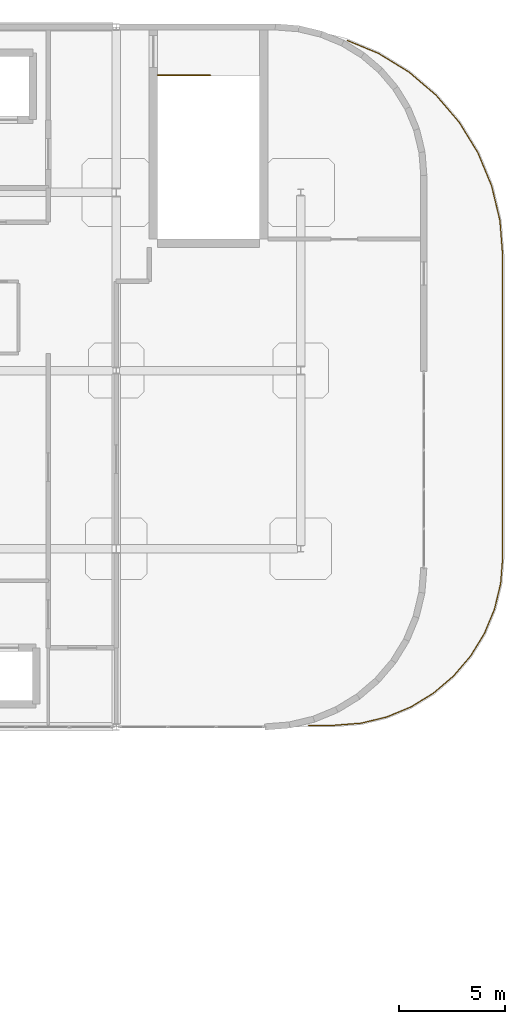
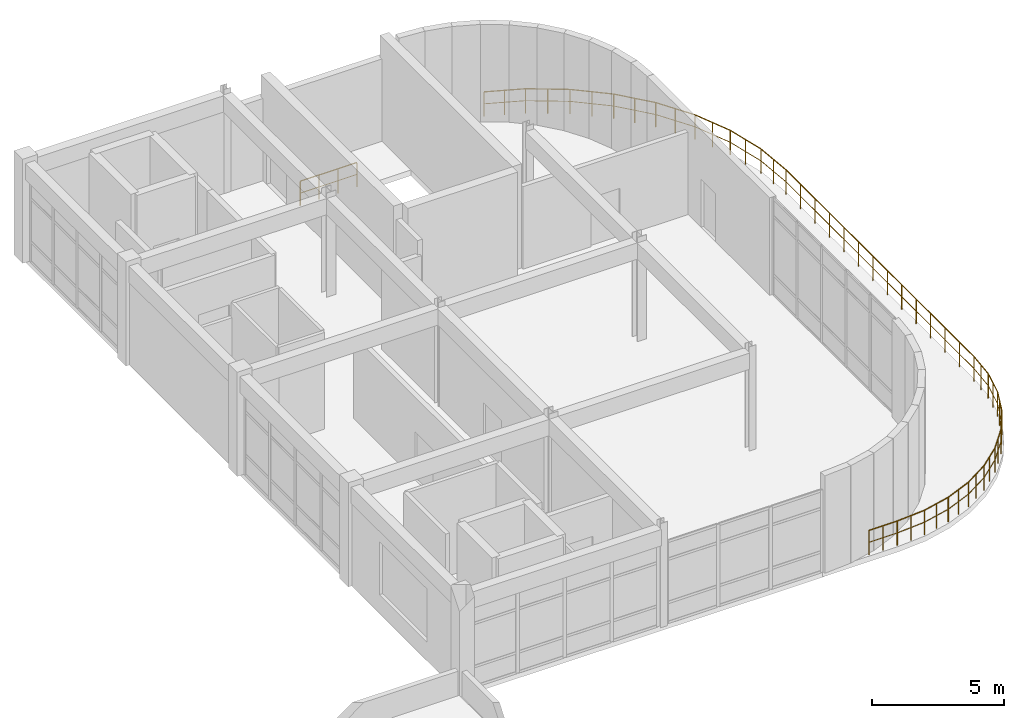
# One storey, part 41 of 41: 2 railings.
"""IFC4 building model written with IfcOpenShell, lengths in metres."""

from ifc_helpers import new_model, si_unit, derived_unit, direction, frame, origin, origin_2d, place, context, subcontext, project, spatial, circle, extrude, material, type_object, element, save


model = new_model("IFC4")

# Units and contexts
model_context = context("Model", 3, precision=1e-05, world=origin(), true_north=direction((0.0, 1.0)))
body_context = subcontext(model_context, "Body", "Model", "MODEL_VIEW")
ifc_project = project(units=[si_unit("LENGTHUNIT", "METRE"), si_unit("AREAUNIT", "SQUARE_METRE"), si_unit("VOLUMEUNIT", "CUBIC_METRE"), si_unit("PLANEANGLEUNIT", "RADIAN"), si_unit("MASSUNIT", "GRAM", prefix="KILO"), derived_unit("THERMALTRANSMITTANCEUNIT", [(si_unit("MASSUNIT", "GRAM", prefix="KILO"), 1), (si_unit("TIMEUNIT", "SECOND"), -3), (si_unit("THERMODYNAMICTEMPERATUREUNIT", "KELVIN"), -1)])], contexts=[model_context])

# Site, building, storey
site_placement = place(None, origin())
site = spatial("IfcSite", under=ifc_project, at=site_placement, CompositionType="ELEMENT")
building_placement = place(site_placement, origin())
building = spatial("IfcBuilding", under=site, at=building_placement, Name="Qinzheling Arcade Emporium", CompositionType="ELEMENT")
storey_placement = place(building_placement, frame((0.0, 0.0, 36.300048828125)))
storey = spatial("IfcBuildingStorey", under=building, at=storey_placement, Name="L08", CompositionType="ELEMENT", Elevation=36.300048828125)

# Railings
ifc_material_1 = material(Name="Architectural bronze rail and laminated safety glass", Category="glass")
railing_type_1 = type_object("IfcRailingType", Name="Curved Terrace Laminated Glass and Bronze Balustrade 1150", PredefinedType="BALUSTRADE", material=ifc_material_1)
railing_1_placement = place(storey_placement, frame((124.0029296875, 106.156982421875, 0.0)))
element("IfcRailing", 1, at=railing_1_placement, inside=storey, type_object=railing_type_1, Name="Terrace Balustrade RLG-TER-L08-023", PredefinedType="BALUSTRADE", context=body_context, shape_type="SweptSolid", body=[
    extrude(circle(Radius=0.02392578125, at=origin_2d()), frame((0.0, 0.0, 1.1259765625), z_axis=(0.923990551379, -0.38241529907, 0.0), x_axis=(0.38241529907, 0.923990551379, 0.0)), (0.0, 0.0, 1.0), 1.58447265625),
    extrude(circle(Radius=0.01611328125, at=origin_2d()), frame((0.0, 0.0, 0.574951171875), z_axis=(0.923990551379, -0.38241529907, 0.0), x_axis=(0.38241529907, 0.923990551379, 0.0)), (0.0, 0.0, 1.0), 1.58447265625),
    extrude(circle(Radius=0.02392578125, at=origin_2d()), frame((1.464111328125, -0.60595703125, 1.1259765625), z_axis=(0.852574128267, -0.522606310533, 0.0), x_axis=(0.522606310533, 0.852574128267, 0.0)), (0.0, 0.0, 1.0), 1.681884765625),
    extrude(circle(Radius=0.01611328125, at=origin_2d()), frame((1.464111328125, -0.60595703125, 0.574951171875), z_axis=(0.852574128267, -0.522606310533, 0.0), x_axis=(0.522606310533, 0.852574128267, 0.0)), (0.0, 0.0, 1.0), 1.681884765625),
    extrude(circle(Radius=0.02392578125, at=origin_2d()), frame((2.89794921875, -1.48486328125, 1.1259765625), z_axis=(0.760515545817, -0.649319724459, 0.0), x_axis=(0.649319724459, 0.760515545817, 0.0)), (0.0, 0.0, 1.0), 1.681884765625),
    extrude(circle(Radius=0.01611328125, at=origin_2d()), frame((2.89794921875, -1.48486328125, 0.574951171875), z_axis=(0.760515545817, -0.649319724459, 0.0), x_axis=(0.649319724459, 0.760515545817, 0.0)), (0.0, 0.0, 1.0), 1.681884765625),
    extrude(circle(Radius=0.02392578125, at=origin_2d()), frame((4.177001953125, -2.576904296875, 1.1259765625), z_axis=(0.649319724459, -0.760515545817, 0.0), x_axis=(0.760515545817, 0.649319724459, 0.0)), (0.0, 0.0, 1.0), 1.681884765625),
    extrude(circle(Radius=0.01611328125, at=origin_2d()), frame((4.177001953125, -2.576904296875, 0.574951171875), z_axis=(0.649319724459, -0.760515545817, 0.0), x_axis=(0.760515545817, 0.649319724459, 0.0)), (0.0, 0.0, 1.0), 1.681884765625),
    extrude(circle(Radius=0.02392578125, at=origin_2d()), frame((5.26904296875, -3.85595703125, 1.1259765625), z_axis=(0.522541635703, -0.852613768923, 0.0), x_axis=(0.852613768923, 0.522541635703, 0.0)), (0.0, 0.0, 1.0), 1.681884765625),
    extrude(circle(Radius=0.01611328125, at=origin_2d()), frame((5.26904296875, -3.85595703125, 0.574951171875), z_axis=(0.522541635703, -0.852613768923, 0.0), x_axis=(0.852613768923, 0.522541635703, 0.0)), (0.0, 0.0, 1.0), 1.681884765625),
    extrude(circle(Radius=0.02392578125, at=origin_2d()), frame((6.14794921875, -5.2900390625, 1.1259765625), z_axis=(0.382667809324, -0.923886003632, 0.0), x_axis=(0.923886003632, 0.382667809324, 0.0)), (0.0, 0.0, 1.0), 1.68310546875),
    extrude(circle(Radius=0.01611328125, at=origin_2d()), frame((6.14794921875, -5.2900390625, 0.574951171875), z_axis=(0.382667809324, -0.923886003632, 0.0), x_axis=(0.923886003632, 0.382667809324, 0.0)), (0.0, 0.0, 1.0), 1.68310546875),
    extrude(circle(Radius=0.02392578125, at=origin_2d()), frame((6.7919921875, -6.844970703125, 1.1259765625), z_axis=(0.233614416284, -0.972329318957, 0.0), x_axis=(0.972329318957, 0.233614416284, 0.0)), (0.0, 0.0, 1.0), 1.6826171875),
    extrude(circle(Radius=0.01611328125, at=origin_2d()), frame((6.7919921875, -6.844970703125, 0.574951171875), z_axis=(0.233614416284, -0.972329318957, 0.0), x_axis=(0.972329318957, 0.233614416284, 0.0)), (0.0, 0.0, 1.0), 1.6826171875),
    extrude(circle(Radius=0.02392578125, at=origin_2d()), frame((7.18505859375, -8.48095703125, 1.1259765625), z_axis=(0.07842572316, -0.996919959649, 0.0), x_axis=(0.996919959649, 0.07842572316, 0.0)), (0.0, 0.0, 1.0), 1.68408203125),
    extrude(circle(Radius=0.01611328125, at=origin_2d()), frame((7.18505859375, -8.48095703125, 0.574951171875), z_axis=(0.07842572316, -0.996919959649, 0.0), x_axis=(0.996919959649, 0.07842572316, 0.0)), (0.0, 0.0, 1.0), 1.68408203125),
    extrude(circle(Radius=0.02392578125, at=origin_2d()), frame((7.317138671875, -10.159912109375, 1.1259765625), z_axis=(0.0, -1.0, 0.0), x_axis=(1.0, 0.0, 0.0)), (0.0, 0.0, 1.0), 14.194091796875),
    extrude(circle(Radius=0.01611328125, at=origin_2d()), frame((7.317138671875, -10.159912109375, 0.574951171875), z_axis=(0.0, -1.0, 0.0), x_axis=(1.0, 0.0, 0.0)), (0.0, 0.0, 1.0), 14.194091796875),
    extrude(circle(Radius=0.02392578125, at=origin_2d()), frame((7.317138671875, -24.35400390625, 1.1259765625), z_axis=(-0.078061288153, -0.996948562009, 0.0), x_axis=(0.996948562009, -0.078061288153, 0.0)), (0.0, 0.0, 1.0), 1.244873046875),
    extrude(circle(Radius=0.01611328125, at=origin_2d()), frame((7.317138671875, -24.35400390625, 0.574951171875), z_axis=(-0.078061288153, -0.996948562009, 0.0), x_axis=(0.996948562009, -0.078061288153, 0.0)), (0.0, 0.0, 1.0), 1.244873046875),
    extrude(circle(Radius=0.02392578125, at=origin_2d()), frame((7.219970703125, -25.594970703125, 1.1259765625), z_axis=(-0.234026345802, -0.972230255377, 0.0), x_axis=(0.972230255377, -0.234026345802, 0.0)), (0.0, 0.0, 1.0), 1.243408203125),
    extrude(circle(Radius=0.01611328125, at=origin_2d()), frame((7.219970703125, -25.594970703125, 0.574951171875), z_axis=(-0.234026345802, -0.972230255377, 0.0), x_axis=(0.972230255377, -0.234026345802, 0.0)), (0.0, 0.0, 1.0), 1.243408203125),
    extrude(circle(Radius=0.02392578125, at=origin_2d()), frame((6.928955078125, -26.803955078125, 1.1259765625), z_axis=(-0.382634999188, -0.923899592703, 0.0), x_axis=(0.923899592703, -0.382634999188, 0.0)), (0.0, 0.0, 1.0), 1.24365234375),
    extrude(circle(Radius=0.01611328125, at=origin_2d()), frame((6.928955078125, -26.803955078125, 0.574951171875), z_axis=(-0.382634999188, -0.923899592703, 0.0), x_axis=(0.923899592703, -0.382634999188, 0.0)), (0.0, 0.0, 1.0), 1.24365234375),
    extrude(circle(Radius=0.02392578125, at=origin_2d()), frame((6.453125, -27.952880859375, 1.1259765625), z_axis=(-0.522594318317, -0.852581479075, 0.0), x_axis=(0.852581479075, -0.522594318317, 0.0)), (0.0, 0.0, 1.0), 1.2421875),
    extrude(circle(Radius=0.01611328125, at=origin_2d()), frame((6.453125, -27.952880859375, 0.574951171875), z_axis=(-0.522594318317, -0.852581479075, 0.0), x_axis=(0.852581479075, -0.522594318317, 0.0)), (0.0, 0.0, 1.0), 1.2421875),
    extrude(circle(Radius=0.02392578125, at=origin_2d()), frame((5.803955078125, -29.011962890625, 1.1259765625), z_axis=(-0.649317815762, -0.760517175436, 0.0), x_axis=(0.760517175436, -0.649317815762, 0.0)), (0.0, 0.0, 1.0), 1.24267578125),
    extrude(circle(Radius=0.01611328125, at=origin_2d()), frame((5.803955078125, -29.011962890625, 0.574951171875), z_axis=(-0.649317815762, -0.760517175436, 0.0), x_axis=(0.760517175436, -0.649317815762, 0.0)), (0.0, 0.0, 1.0), 1.24267578125),
    extrude(circle(Radius=0.02392578125, at=origin_2d()), frame((4.9970703125, -29.95703125, 1.1259765625), z_axis=(-0.760517175436, -0.649317815762, 0.0), x_axis=(0.649317815762, -0.760517175436, 0.0)), (0.0, 0.0, 1.0), 1.24267578125),
    extrude(circle(Radius=0.01611328125, at=origin_2d()), frame((4.9970703125, -29.95703125, 0.574951171875), z_axis=(-0.760517175436, -0.649317815762, 0.0), x_axis=(0.649317815762, -0.760517175436, 0.0)), (0.0, 0.0, 1.0), 1.24267578125),
    extrude(circle(Radius=0.02392578125, at=origin_2d()), frame((4.052001953125, -30.763916015625, 1.1259765625), z_axis=(-0.852527790129, -0.522681898537, 0.0), x_axis=(0.522681898537, -0.852527790129, 0.0)), (0.0, 0.0, 1.0), 1.241943359375),
    extrude(circle(Radius=0.01611328125, at=origin_2d()), frame((4.052001953125, -30.763916015625, 0.574951171875), z_axis=(-0.852527790129, -0.522681898537, 0.0), x_axis=(0.522681898537, -0.852527790129, 0.0)), (0.0, 0.0, 1.0), 1.241943359375),
    extrude(circle(Radius=0.02392578125, at=origin_2d()), frame((2.9931640625, -31.4130859375, 1.1259765625), z_axis=(-0.923928328555, -0.382565607044, 0.0), x_axis=(0.382565607044, -0.923928328555, 0.0)), (0.0, 0.0, 1.0), 1.243896484375),
    extrude(circle(Radius=0.01611328125, at=origin_2d()), frame((2.9931640625, -31.4130859375, 0.574951171875), z_axis=(-0.923928328555, -0.382565607044, 0.0), x_axis=(0.382565607044, -0.923928328555, 0.0)), (0.0, 0.0, 1.0), 1.243896484375),
    extrude(circle(Radius=0.02392578125, at=origin_2d()), frame((1.843994140625, -31.888916015625, 1.1259765625), z_axis=(-0.972230255377, -0.234026345802, 0.0), x_axis=(0.234026345802, -0.972230255377, 0.0)), (0.0, 0.0, 1.0), 1.243408203125),
    extrude(circle(Radius=0.01611328125, at=origin_2d()), frame((1.843994140625, -31.888916015625, 0.574951171875), z_axis=(-0.972230255377, -0.234026345802, 0.0), x_axis=(0.234026345802, -0.972230255377, 0.0)), (0.0, 0.0, 1.0), 1.243408203125),
    extrude(circle(Radius=0.02392578125, at=origin_2d()), frame((0.635009765625, -32.179931640625, 1.1259765625), z_axis=(-0.996948562009, -0.078061288153, 0.0), x_axis=(0.078061288153, -0.996948562009, 0.0)), (0.0, 0.0, 1.0), 1.244873046875),
    extrude(circle(Radius=0.01611328125, at=origin_2d()), frame((0.635009765625, -32.179931640625, 0.574951171875), z_axis=(-0.996948562009, -0.078061288153, 0.0), x_axis=(0.078061288153, -0.996948562009, 0.0)), (0.0, 0.0, 1.0), 1.244873046875),
    extrude(circle(Radius=0.02392578125, at=origin_2d()), frame((-0.60595703125, -32.277099609375, 1.1259765625), z_axis=(-1.0, 0.0, 0.0), x_axis=(0.0, -1.0, 0.0)), (0.0, 0.0, 1.0), 1.23193359375),
    extrude(circle(Radius=0.01611328125, at=origin_2d()), frame((-0.60595703125, -32.277099609375, 0.574951171875), z_axis=(-1.0, 0.0, 0.0), x_axis=(0.0, -1.0, 0.0)), (0.0, 0.0, 1.0), 1.23193359375),
    extrude(circle(Radius=0.02099609375, at=origin_2d()), origin(), (0.0, 0.0, 1.0), 1.101806640625),
    extrude(circle(Radius=0.02099609375, at=origin_2d()), frame((0.73193359375, -0.302978515625, 0.0)), (0.0, 0.0, 1.0), 1.101806640625),
    extrude(circle(Radius=0.02099609375, at=origin_2d()), frame((1.464111328125, -0.60595703125, 0.0)), (0.0, 0.0, 1.0), 1.101806640625),
    extrude(circle(Radius=0.02099609375, at=origin_2d()), frame((2.18115234375, -1.04541015625, 0.0)), (0.0, 0.0, 1.0), 1.101806640625),
    extrude(circle(Radius=0.02099609375, at=origin_2d()), frame((2.89794921875, -1.48486328125, 0.0)), (0.0, 0.0, 1.0), 1.101806640625),
    extrude(circle(Radius=0.02099609375, at=origin_2d()), frame((3.53759765625, -2.03076171875, 0.0)), (0.0, 0.0, 1.0), 1.101806640625),
    extrude(circle(Radius=0.02099609375, at=origin_2d()), frame((4.177001953125, -2.576904296875, 0.0)), (0.0, 0.0, 1.0), 1.101806640625),
    extrude(circle(Radius=0.02099609375, at=origin_2d()), frame((4.72314453125, -3.21630859375, 0.0)), (0.0, 0.0, 1.0), 1.101806640625),
    extrude(circle(Radius=0.02099609375, at=origin_2d()), frame((5.26904296875, -3.85595703125, 0.0)), (0.0, 0.0, 1.0), 1.101806640625),
    extrude(circle(Radius=0.02099609375, at=origin_2d()), frame((5.70849609375, -4.572998046875, 0.0)), (0.0, 0.0, 1.0), 1.101806640625),
    extrude(circle(Radius=0.02099609375, at=origin_2d()), frame((6.14794921875, -5.2900390625, 0.0)), (0.0, 0.0, 1.0), 1.101806640625),
    extrude(circle(Radius=0.02099609375, at=origin_2d()), frame((6.469970703125, -6.0673828125, 0.0)), (0.0, 0.0, 1.0), 1.101806640625),
    extrude(circle(Radius=0.02099609375, at=origin_2d()), frame((6.7919921875, -6.844970703125, 0.0)), (0.0, 0.0, 1.0), 1.101806640625),
    extrude(circle(Radius=0.02099609375, at=origin_2d()), frame((6.988525390625, -7.6630859375, 0.0)), (0.0, 0.0, 1.0), 1.101806640625),
    extrude(circle(Radius=0.02099609375, at=origin_2d()), frame((7.18505859375, -8.48095703125, 0.0)), (0.0, 0.0, 1.0), 1.101806640625),
    extrude(circle(Radius=0.02099609375, at=origin_2d()), frame((7.2509765625, -9.3203125, 0.0)), (0.0, 0.0, 1.0), 1.101806640625),
    extrude(circle(Radius=0.02099609375, at=origin_2d()), frame((7.317138671875, -10.159912109375, 0.0)), (0.0, 0.0, 1.0), 1.101806640625),
    extrude(circle(Radius=0.02099609375, at=origin_2d()), frame((7.317138671875, -11.251708984375, 0.0)), (0.0, 0.0, 1.0), 1.101806640625),
    extrude(circle(Radius=0.02099609375, at=origin_2d()), frame((7.317138671875, -12.343505859375, 0.0)), (0.0, 0.0, 1.0), 1.101806640625),
    extrude(circle(Radius=0.02099609375, at=origin_2d()), frame((7.317138671875, -13.435546875, 0.0)), (0.0, 0.0, 1.0), 1.101806640625),
    extrude(circle(Radius=0.02099609375, at=origin_2d()), frame((7.317138671875, -14.52734375, 0.0)), (0.0, 0.0, 1.0), 1.101806640625),
    extrude(circle(Radius=0.02099609375, at=origin_2d()), frame((7.317138671875, -15.619140625, 0.0)), (0.0, 0.0, 1.0), 1.101806640625),
    extrude(circle(Radius=0.02099609375, at=origin_2d()), frame((7.317138671875, -16.7109375, 0.0)), (0.0, 0.0, 1.0), 1.101806640625),
    extrude(circle(Radius=0.02099609375, at=origin_2d()), frame((7.317138671875, -17.802978515625, 0.0)), (0.0, 0.0, 1.0), 1.101806640625),
    extrude(circle(Radius=0.02099609375, at=origin_2d()), frame((7.317138671875, -18.894775390625, 0.0)), (0.0, 0.0, 1.0), 1.101806640625),
    extrude(circle(Radius=0.02099609375, at=origin_2d()), frame((7.317138671875, -19.986572265625, 0.0)), (0.0, 0.0, 1.0), 1.101806640625),
    extrude(circle(Radius=0.02099609375, at=origin_2d()), frame((7.317138671875, -21.078369140625, 0.0)), (0.0, 0.0, 1.0), 1.101806640625),
    extrude(circle(Radius=0.02099609375, at=origin_2d()), frame((7.317138671875, -22.17041015625, 0.0)), (0.0, 0.0, 1.0), 1.101806640625),
    extrude(circle(Radius=0.02099609375, at=origin_2d()), frame((7.317138671875, -23.26220703125, 0.0)), (0.0, 0.0, 1.0), 1.101806640625),
    extrude(circle(Radius=0.02099609375, at=origin_2d()), frame((7.317138671875, -24.35400390625, 0.0)), (0.0, 0.0, 1.0), 1.101806640625),
    extrude(circle(Radius=0.02099609375, at=origin_2d()), frame((7.2685546875, -24.974609375, 0.0)), (0.0, 0.0, 1.0), 1.101806640625),
    extrude(circle(Radius=0.02099609375, at=origin_2d()), frame((7.219970703125, -25.594970703125, 0.0)), (0.0, 0.0, 1.0), 1.101806640625),
    extrude(circle(Radius=0.02099609375, at=origin_2d()), frame((7.074462890625, -26.199462890625, 0.0)), (0.0, 0.0, 1.0), 1.101806640625),
    extrude(circle(Radius=0.02099609375, at=origin_2d()), frame((6.928955078125, -26.803955078125, 0.0)), (0.0, 0.0, 1.0), 1.101806640625),
    extrude(circle(Radius=0.02099609375, at=origin_2d()), frame((6.69091796875, -27.37841796875, 0.0)), (0.0, 0.0, 1.0), 1.101806640625),
    extrude(circle(Radius=0.02099609375, at=origin_2d()), frame((6.453125, -27.952880859375, 0.0)), (0.0, 0.0, 1.0), 1.101806640625),
    extrude(circle(Radius=0.02099609375, at=origin_2d()), frame((6.12841796875, -28.482421875, 0.0)), (0.0, 0.0, 1.0), 1.101806640625),
    extrude(circle(Radius=0.02099609375, at=origin_2d()), frame((5.803955078125, -29.011962890625, 0.0)), (0.0, 0.0, 1.0), 1.101806640625),
    extrude(circle(Radius=0.02099609375, at=origin_2d()), frame((5.400390625, -29.484375, 0.0)), (0.0, 0.0, 1.0), 1.101806640625),
    extrude(circle(Radius=0.02099609375, at=origin_2d()), frame((4.9970703125, -29.95703125, 0.0)), (0.0, 0.0, 1.0), 1.101806640625),
    extrude(circle(Radius=0.02099609375, at=origin_2d()), frame((4.5244140625, -30.3603515625, 0.0)), (0.0, 0.0, 1.0), 1.101806640625),
    extrude(circle(Radius=0.02099609375, at=origin_2d()), frame((4.052001953125, -30.763916015625, 0.0)), (0.0, 0.0, 1.0), 1.101806640625),
    extrude(circle(Radius=0.02099609375, at=origin_2d()), frame((3.5224609375, -31.08837890625, 0.0)), (0.0, 0.0, 1.0), 1.101806640625),
    extrude(circle(Radius=0.02099609375, at=origin_2d()), frame((2.9931640625, -31.4130859375, 0.0)), (0.0, 0.0, 1.0), 1.101806640625),
    extrude(circle(Radius=0.02099609375, at=origin_2d()), frame((2.41845703125, -31.65087890625, 0.0)), (0.0, 0.0, 1.0), 1.101806640625),
    extrude(circle(Radius=0.02099609375, at=origin_2d()), frame((1.843994140625, -31.888916015625, 0.0)), (0.0, 0.0, 1.0), 1.101806640625),
    extrude(circle(Radius=0.02099609375, at=origin_2d()), frame((1.239501953125, -32.034423828125, 0.0)), (0.0, 0.0, 1.0), 1.101806640625),
    extrude(circle(Radius=0.02099609375, at=origin_2d()), frame((0.635009765625, -32.179931640625, 0.0)), (0.0, 0.0, 1.0), 1.101806640625),
    extrude(circle(Radius=0.02099609375, at=origin_2d()), frame((0.0146484375, -32.228515625, 0.0)), (0.0, 0.0, 1.0), 1.101806640625),
    extrude(circle(Radius=0.02099609375, at=origin_2d()), frame((-0.60595703125, -32.277099609375, 0.0)), (0.0, 0.0, 1.0), 1.101806640625),
    extrude(circle(Radius=0.02099609375, at=origin_2d()), frame((-1.221923828125, -32.277099609375, 0.0)), (0.0, 0.0, 1.0), 1.101806640625),
    extrude(circle(Radius=0.02099609375, at=origin_2d()), frame((-1.837890625, -32.277099609375, 0.0)), (0.0, 0.0, 1.0), 1.101806640625),
])
ifc_material_2 = material(Name="Galvanised powder-coated tubular steel", Category="steel")
railing_type_2 = type_object("IfcRailingType", Name="Painted Steel Stairwell Guard Railing 1150", PredefinedType="GUARDRAIL", material=ifc_material_2)
railing_2_placement = place(storey_placement, frame((115.054931640625, 104.530029296875, 0.0)))
element("IfcRailing", 2, at=railing_2_placement, inside=storey, type_object=railing_type_2, Name="L08 ST08 top well guard 1", PredefinedType="GUARDRAIL", context=body_context, shape_type="SweptSolid", body=[
    extrude(circle(Radius=0.02392578125, at=origin_2d()), frame((0.0, 0.0, 1.1259765625), z_axis=(1.0, 0.0, 0.0), x_axis=(0.0, 1.0, 0.0)), (0.0, 0.0, 1.0), 2.469970703125),
    extrude(circle(Radius=0.01611328125, at=origin_2d()), frame((0.0, 0.0, 0.574951171875), z_axis=(1.0, 0.0, 0.0), x_axis=(0.0, 1.0, 0.0)), (0.0, 0.0, 1.0), 2.469970703125),
    extrude(circle(Radius=0.02099609375, at=origin_2d()), origin(), (0.0, 0.0, 1.0), 1.101806640625),
    extrude(circle(Radius=0.02099609375, at=origin_2d()), frame((0.8232421875, 0.0, 0.0)), (0.0, 0.0, 1.0), 1.101806640625),
    extrude(circle(Radius=0.02099609375, at=origin_2d()), frame((1.646728515625, 0.0, 0.0)), (0.0, 0.0, 1.0), 1.101806640625),
    extrude(circle(Radius=0.02099609375, at=origin_2d()), frame((2.469970703125, 0.0, 0.0)), (0.0, 0.0, 1.0), 1.101806640625),
])

save(model, "model.ifc")
